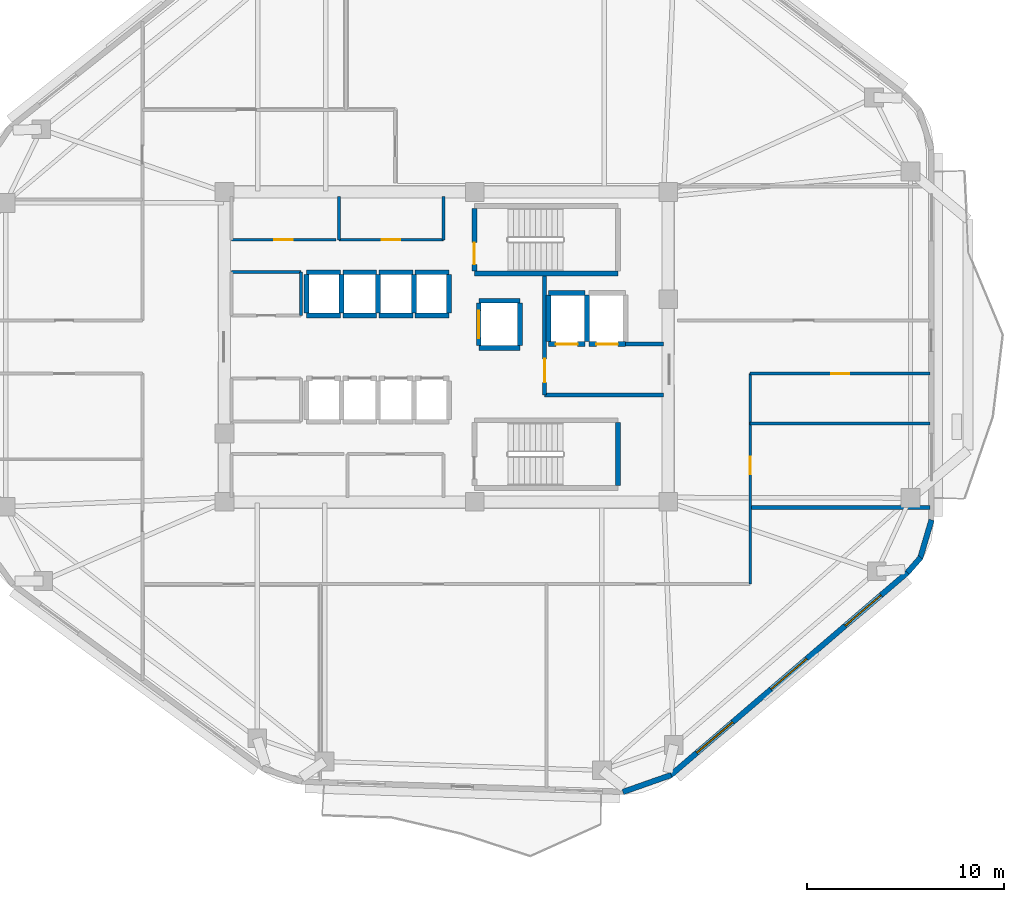
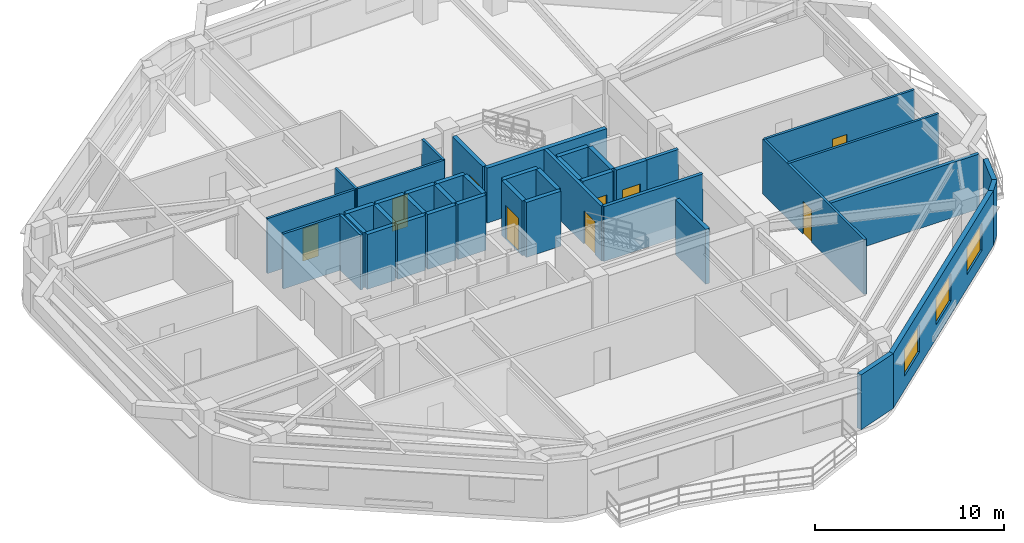
# One storey, part 4 of 8: 42 walls, 9 doors, 3 windows, 12 openings.
"""IFC4 building model written with IfcOpenShell, lengths in metres."""

from ifc_helpers import new_model, si_unit, direction, frame, frame_2d, origin, place, context, subcontext, project, spatial, rectangle, extrude, material, layer, layer_set, type_object, element, fill, save


model = new_model("IFC4")

# Units and contexts
model_context = context("Model", 3, precision=1e-05, world=origin(), true_north=direction((0.0, 1.0)))
body_context = subcontext(model_context, "Body", "Model", "MODEL_VIEW")
ifc_project = project(units=[si_unit("LENGTHUNIT", "METRE"), si_unit("AREAUNIT", "SQUARE_METRE"), si_unit("VOLUMEUNIT", "CUBIC_METRE"), si_unit("PLANEANGLEUNIT", "RADIAN"), si_unit("MASSUNIT", "GRAM", prefix="KILO")], contexts=[model_context])

# Site, building, storey
site_placement = place(None, origin())
site = spatial("IfcSite", under=ifc_project, at=site_placement, CompositionType="ELEMENT")
building_placement = place(site_placement, origin())
building = spatial("IfcBuilding", under=site, at=building_placement, Name="Zulverin Broadcast Headquarters", CompositionType="ELEMENT")
storey_placement = place(building_placement, frame((0.0, 0.0, 182.0)))
storey = spatial("IfcBuildingStorey", under=building, at=storey_placement, Name="L46", CompositionType="ELEMENT", Elevation=182.0)

# Wall
ifc_material_1 = material(Name="Acoustic drywall steel stud", Category="steel")
ifc_layer_1 = layer(ifc_material_1, 0.199951171875, Name="Acoustic drywall steel stud", Category="steel")
ifc_layer_set_1 = layer_set([ifc_layer_1], Name="Acoustic drywall steel stud")
wall_type_1 = type_object("IfcWallType", Name="WL-ACOU-200", PredefinedType="PARTITIONING", material=ifc_layer_set_1)
wall_1_placement = place(storey_placement, frame((52.449951171875, 17.050048828125, 0.0), z_axis=(0.0, 0.0, 1.0), x_axis=(1.0, 0.0, 0.0)))
element("IfcWall", 1, at=wall_1_placement, inside=storey, type_object=wall_type_1, Name="L46 Room Partition Wall RP-09", PredefinedType="PARTITIONING", context=body_context, shape_type="SweptSolid", body=[
    extrude(rectangle(XDim=9.14501953125, YDim=0.199951171875, at=frame_2d((4.572509765625, 0.0))), origin(), (0.0, 0.0, 1.0), 3.5400390625),
])

# Wall, openings, windows
ifc_material_2 = material(Name="Insulated pale-metal clad concrete spandrel C40/50", Category="concrete")
ifc_layer_2 = layer(ifc_material_2, 0.280029296875, Name="Insulated pale-metal clad concrete spandrel C40/50", Category="concrete")
ifc_layer_set_2 = layer_set([ifc_layer_2], Name="Insulated pale-metal clad concrete spandrel C40/50")
wall_type_2 = type_object("IfcWallType", Name="WL-EXT-280", PredefinedType="STANDARD", material=ifc_layer_set_2)
wall_2_placement = place(storey_placement, frame((48.38525390625, 3.413818359375, 0.0), z_axis=(0.0, 0.0, 1.0), x_axis=(0.759700260779, 0.650273414628, 0.0)))
wall_2 = element("IfcWall", 2, at=wall_2_placement, inside=storey, type_object=wall_type_2, Name="L46 Pale-Metal Clad Spandrel Wall 2", PredefinedType="STANDARD", context=body_context, shape_type="SweptSolid", body=[
    extrude(rectangle(XDim=15.880859375, YDim=0.280029296875, at=frame_2d((7.9404296875, 0.0))), origin(), (0.0, 0.0, 1.0), 3.5400390625),
])
opening_1_placement = place(wall_2_placement, frame((1.780029296875, 0.0, 0.89990234375)))
opening_1 = element("IfcOpeningElement", 3, at=opening_1_placement, cuts=wall_2, Name="Opening W-L46-E21", PredefinedType="OPENING", context=body_context, shape_type="SweptSolid", body=[
    extrude(rectangle(XDim=2.39990234375, YDim=1.75, at=frame_2d((1.199951171875, 0.875))), frame((0.0, 0.14990234375, 0.0), z_axis=(0.0, -1.0, 0.0), x_axis=(1.0, 0.0, 0.0)), (0.0, 0.0, 1.0), 0.300048828125),
])
opening_2_placement = place(wall_2_placement, frame((6.740478515625, 0.0, 0.89990234375)))
opening_2 = element("IfcOpeningElement", 4, at=opening_2_placement, cuts=wall_2, Name="Opening W-L46-E22", PredefinedType="OPENING", context=body_context, shape_type="SweptSolid", body=[
    extrude(rectangle(XDim=2.39990234375, YDim=1.75, at=frame_2d((1.199951171875, 0.875))), frame((0.0, 0.14990234375, 0.0), z_axis=(0.0, -1.0, 0.0), x_axis=(1.0, 0.0, 0.0)), (0.0, 0.0, 1.0), 0.300048828125),
])
opening_3_placement = place(wall_2_placement, frame((11.70068359375, 0.0, 0.89990234375)))
opening_3 = element("IfcOpeningElement", 5, at=opening_3_placement, cuts=wall_2, Name="Opening W-L46-E23", PredefinedType="OPENING", context=body_context, shape_type="SweptSolid", body=[
    extrude(rectangle(XDim=2.39990234375, YDim=1.75, at=frame_2d((1.199951171875, 0.875))), frame((0.0, 0.14990234375, 0.0), z_axis=(0.0, -1.0, 0.0), x_axis=(1.0, 0.0, 0.0)), (0.0, 0.0, 1.0), 0.300048828125),
])
ifc_material_3 = material(Name="Pale anodized aluminium frame with solar-control low-E double glazing", Category="aluminium")
window_type = type_object("IfcWindowType", Name="WIN-RIB-2400", PartitioningType="SINGLE_PANEL", PredefinedType="WINDOW", material=ifc_material_3)
window_1_placement = place(opening_1_placement, origin())
window_1 = element("IfcWindow", 6, at=window_1_placement, inside=storey, type_object=window_type, Name="L46 Ribbon Glazing Window 2 1", OverallHeight=1.75, OverallWidth=2.39990234375, PartitioningType="SINGLE_PANEL", PredefinedType="WINDOW", context=body_context, shape_type="SweptSolid", body=[
    extrude(rectangle(XDim=2.39990234375, YDim=1.75, at=frame_2d((1.199951171875, 0.875))), frame((0.0, 0.030029296875, 0.0), z_axis=(0.0, -1.0, 0.0), x_axis=(1.0, 0.0, 0.0)), (0.0, 0.0, 1.0), 0.06005859375),
])
fill(opening_1, window_1)
window_2_placement = place(opening_2_placement, origin())
window_2 = element("IfcWindow", 7, at=window_2_placement, inside=storey, type_object=window_type, Name="L46 Ribbon Glazing Window 2 2", OverallHeight=1.75, OverallWidth=2.39990234375, PartitioningType="SINGLE_PANEL", PredefinedType="WINDOW", context=body_context, shape_type="SweptSolid", body=[
    extrude(rectangle(XDim=2.39990234375, YDim=1.75, at=frame_2d((1.199951171875, 0.875))), frame((0.0, 0.030029296875, 0.0), z_axis=(0.0, -1.0, 0.0), x_axis=(1.0, 0.0, 0.0)), (0.0, 0.0, 1.0), 0.06005859375),
])
fill(opening_2, window_2)
window_3_placement = place(opening_3_placement, origin())
window_3 = element("IfcWindow", 8, at=window_3_placement, inside=storey, type_object=window_type, Name="L46 Ribbon Glazing Window 2 3", OverallHeight=1.75, OverallWidth=2.39990234375, PartitioningType="SINGLE_PANEL", PredefinedType="WINDOW", context=body_context, shape_type="SweptSolid", body=[
    extrude(rectangle(XDim=2.39990234375, YDim=1.75, at=frame_2d((1.199951171875, 0.875))), frame((0.0, 0.030029296875, 0.0), z_axis=(0.0, -1.0, 0.0), x_axis=(1.0, 0.0, 0.0)), (0.0, 0.0, 1.0), 0.06005859375),
])
fill(opening_3, window_3)

# Walls
wall_3_placement = place(storey_placement, frame((45.974609375, 2.576416015625, 0.0), z_axis=(0.0, 0.0, 1.0), x_axis=(0.943377643365, 0.331720698781, 0.0)))
element("IfcWall", 9, at=wall_3_placement, inside=storey, type_object=wall_type_2, Name="L46 Wind-Shaped Corner Spandrel Wall 1-1", PredefinedType="STANDARD", context=body_context, shape_type="SweptSolid", body=[
    extrude(rectangle(XDim=2.6025390625, YDim=0.280029296875, at=frame_2d((1.30126953125, 0.0))), origin(), (0.0, 0.0, 1.0), 3.5400390625),
])
wall_4_placement = place(storey_placement, frame((60.435791015625, 13.7265625, 0.0), z_axis=(0.0, 0.0, 1.0), x_axis=(0.658571618609, 0.752518055041, 0.0)))
element("IfcWall", 10, at=wall_4_placement, inside=storey, type_object=wall_type_2, Name="L46 Wind-Shaped Corner Spandrel Wall 2-1", PredefinedType="STANDARD", context=body_context, shape_type="SweptSolid", body=[
    extrude(rectangle(XDim=1.03173828125, YDim=0.280029296875, at=frame_2d((0.515869140625, 0.0))), origin(), (0.0, 0.0, 1.0), 3.5400390625),
])
wall_5_placement = place(storey_placement, frame((61.08642578125, 14.450439453125, 0.0), z_axis=(0.0, 0.0, 1.0), x_axis=(0.283660953453, 0.958924639107, 0.0)))
element("IfcWall", 11, at=wall_5_placement, inside=storey, type_object=wall_type_2, Name="L46 Wind-Shaped Corner Spandrel Wall 2-2", PredefinedType="STANDARD", context=body_context, shape_type="SweptSolid", body=[
    extrude(rectangle(XDim=2.04248046875, YDim=0.280029296875, at=frame_2d((1.021240234375, 0.0))), origin(), (0.0, 0.0, 1.0), 3.5400390625),
])

# Wall, opening, door
ifc_material_4 = material(Name="Concrete C40/50", Category="concrete")
ifc_layer_3 = layer(ifc_material_4, 0.199951171875, Name="Concrete C40/50", Category="concrete")
ifc_layer_set_3 = layer_set([ifc_layer_3], Name="Concrete C40/50")
wall_type_3 = type_object("IfcWallType", Name="WL-FFL-200", PredefinedType="SOLIDWALL", material=ifc_layer_set_3)
wall_6_placement = place(storey_placement, frame((42.0, 22.75, 0.0), z_axis=(0.0, 0.0, 1.0), x_axis=(0.0, 1.0, 0.0)))
wall_6 = element("IfcWall", 12, at=wall_6_placement, inside=storey, type_object=wall_type_3, Name="L46 Firefighting Lift Lobby West Wall", PredefinedType="SOLIDWALL", context=body_context, shape_type="SweptSolid", body=[
    extrude(rectangle(XDim=6.050048828125, YDim=0.199951171875, at=frame_2d((3.02490234375, 0.0))), origin(), (0.0, 0.0, 1.0), 3.5400390625),
])
opening_4_placement = place(wall_6_placement, frame((0.64990234375, 0.0, 0.0)))
opening_4 = element("IfcOpeningElement", 13, at=opening_4_placement, cuts=wall_6, Name="Opening D-L46-FFLW", PredefinedType="OPENING", context=body_context, shape_type="SweptSolid", body=[
    extrude(rectangle(XDim=1.199951171875, YDim=2.14990234375, at=frame_2d((0.60009765625, 1.074951171875))), frame((0.0, 0.10986328125, 0.0), z_axis=(0.0, -1.0, 0.0), x_axis=(1.0, 0.0, 0.0)), (0.0, 0.0, 1.0), 0.219970703125),
])
ifc_material_5 = material(Name="Fire-rated steel leaf and frame", Category="steel")
door_type_1 = type_object("IfcDoorType", Name="DR-FFL-1200", OperationType="SINGLE_SWING_RIGHT", PredefinedType="DOOR", material=ifc_material_5)
door_1_placement = place(opening_4_placement, origin())
door_1 = element("IfcDoor", 14, at=door_1_placement, inside=storey, type_object=door_type_1, Name="L46 Firefighting Lift Lobby Door", OperationType="SINGLE_SWING_RIGHT", OverallHeight=2.14990234375, OverallWidth=1.199951171875, PredefinedType="DOOR", context=body_context, shape_type="SweptSolid", body=[
    extrude(rectangle(XDim=1.199951171875, YDim=2.14990234375, at=frame_2d((0.60009765625, 1.074951171875))), frame((0.0, 0.02490234375, 0.0), z_axis=(0.0, -1.0, 0.0), x_axis=(1.0, 0.0, 0.0)), (0.0, 0.0, 1.0), 0.050048828125),
])
fill(opening_4, door_1)

# Walls
wall_7_placement = place(storey_placement, frame((42.0, 22.75, 0.0), z_axis=(0.0, 0.0, 1.0), x_axis=(1.0, 0.0, 0.0)))
element("IfcWall", 15, at=wall_7_placement, inside=storey, type_object=wall_type_3, Name="L46 Firefighting Lift Lobby South Wall", PredefinedType="SOLIDWALL", context=body_context, shape_type="SweptSolid", body=[
    extrude(rectangle(XDim=6.050048828125, YDim=0.199951171875, at=frame_2d((3.02490234375, 0.0))), origin(), (0.0, 0.0, 1.0), 3.5400390625),
])
wall_8_placement = place(storey_placement, frame((46.10009765625, 25.35009765625, 0.0), z_axis=(0.0, 0.0, 1.0), x_axis=(1.0, 0.0, 0.0)))
element("IfcWall", 16, at=wall_8_placement, inside=storey, type_object=wall_type_3, Name="L46 Firefighting Lift Lobby North Wall", PredefinedType="SOLIDWALL", context=body_context, shape_type="SweptSolid", body=[
    extrude(rectangle(XDim=1.949951171875, YDim=0.199951171875, at=frame_2d((0.97509765625, 0.0))), origin(), (0.0, 0.0, 1.0), 3.5400390625),
])

# Wall, opening, door
ifc_material_6 = material(Name="Fire-rated gypsum stud partition", Category="gypsum")
ifc_layer_4 = layer(ifc_material_6, 0.14990234375, Name="Fire-rated gypsum stud partition", Category="gypsum")
ifc_layer_set_4 = layer_set([ifc_layer_4], Name="Fire-rated gypsum stud partition")
wall_type_4 = type_object("IfcWallType", Name="WL-PART-150", PredefinedType="PARTITIONING", material=ifc_layer_set_4)
wall_9_placement = place(storey_placement, frame((26.070068359375, 30.64990234375, 0.0), z_axis=(0.0, 0.0, 1.0), x_axis=(1.0, 0.0, 0.0)))
wall_9 = element("IfcWall", 17, at=wall_9_placement, inside=storey, type_object=wall_type_4, Name="L46 Core Male WC Front Wall", PredefinedType="PARTITIONING", context=body_context, shape_type="SweptSolid", body=[
    extrude(rectangle(XDim=5.309814453125, YDim=0.14990234375, at=frame_2d((2.65478515625, 0.0))), origin(), (0.0, 0.0, 1.0), 3.5400390625),
])
opening_5_placement = place(wall_9_placement, frame((2.179931640625, 0.0, 0.0)))
opening_5 = element("IfcOpeningElement", 18, at=opening_5_placement, cuts=wall_9, Name="Opening D-L46-NC1", PredefinedType="OPENING", context=body_context, shape_type="SweptSolid", body=[
    extrude(rectangle(XDim=0.949951171875, YDim=2.10009765625, at=frame_2d((0.47509765625, 1.050048828125))), frame((0.0, 0.0849609375, 0.0), z_axis=(0.0, -1.0, 0.0), x_axis=(1.0, 0.0, 0.0)), (0.0, 0.0, 1.0), 0.169921875),
])
ifc_material_7 = material(Name="Fire-rated moisture-resistant laminate leaf", Category="wood")
door_type_2 = type_object("IfcDoorType", Name="DR-WC-950", OperationType="SINGLE_SWING_LEFT", PredefinedType="DOOR", material=ifc_material_7)
door_2_placement = place(opening_5_placement, origin())
door_2 = element("IfcDoor", 19, at=door_2_placement, inside=storey, type_object=door_type_2, Name="L46 Male WC Door", OperationType="SINGLE_SWING_LEFT", OverallHeight=2.10009765625, OverallWidth=0.949951171875, PredefinedType="DOOR", context=body_context, shape_type="SweptSolid", body=[
    extrude(rectangle(XDim=0.949951171875, YDim=2.10009765625, at=frame_2d((0.47509765625, 1.050048828125))), frame((0.0, 0.02490234375, 0.0), z_axis=(0.0, -1.0, 0.0), x_axis=(1.0, 0.0, 0.0)), (0.0, 0.0, 1.0), 0.050048828125),
])
fill(opening_5, door_2)

wall_10_placement = place(storey_placement, frame((31.5400390625, 30.64990234375, 0.0), z_axis=(0.0, 0.0, 1.0), x_axis=(1.0, 0.0, 0.0)))
wall_10 = element("IfcWall", 20, at=wall_10_placement, inside=storey, type_object=wall_type_4, Name="L46 Core Accessible WC Front Wall", PredefinedType="PARTITIONING", context=body_context, shape_type="SweptSolid", body=[
    extrude(rectangle(XDim=5.31005859375, YDim=0.14990234375, at=frame_2d((2.655029296875, 0.0))), origin(), (0.0, 0.0, 1.0), 3.5400390625),
])
opening_6_placement = place(wall_10_placement, frame((2.179931640625, 0.0, 0.0)))
opening_6 = element("IfcOpeningElement", 21, at=opening_6_placement, cuts=wall_10, Name="Opening D-L46-NC2", PredefinedType="OPENING", context=body_context, shape_type="SweptSolid", body=[
    extrude(rectangle(XDim=0.949951171875, YDim=2.10009765625, at=frame_2d((0.47509765625, 1.050048828125))), frame((0.0, 0.0849609375, 0.0), z_axis=(0.0, -1.0, 0.0), x_axis=(1.0, 0.0, 0.0)), (0.0, 0.0, 1.0), 0.169921875),
])
door_3_placement = place(opening_6_placement, origin())
door_3 = element("IfcDoor", 22, at=door_3_placement, inside=storey, type_object=door_type_2, Name="L46 Accessible WC Door", OperationType="SINGLE_SWING_RIGHT", OverallHeight=2.10009765625, OverallWidth=0.949951171875, PredefinedType="DOOR", context=body_context, shape_type="SweptSolid", body=[
    extrude(rectangle(XDim=0.949951171875, YDim=2.10009765625, at=frame_2d((0.47509765625, 1.050048828125))), frame((0.0, 0.02490234375, 0.0), z_axis=(0.0, -1.0, 0.0), x_axis=(1.0, 0.0, 0.0)), (0.0, 0.0, 1.0), 0.050048828125),
])
fill(opening_6, door_3)

# Walls
for number, where, z_axis, x_axis, name in (
    (23, (31.5400390625, 30.64990234375, 0.0), (0.0, 0.0, 1.0), (0.0, 1.0, 0.0), "L46 Core Accessible WC West Wall"),
    (24, (36.85009765625, 30.64990234375, 0.0), (0.0, 0.0, 1.0), (0.0, 1.0, 0.0), "L46 Core Accessible WC East Wall"),
):
    element("IfcWall", number, at=place(storey_placement, frame(where, z_axis=z_axis, x_axis=x_axis)), inside=storey, type_object=wall_type_4, Name=name, PredefinedType="PARTITIONING", context=body_context, shape_type="SweptSolid", body=[
        extrude(rectangle(XDim=2.2001953125, YDim=0.14990234375, at=frame_2d((1.10009765625, 0.0))), origin(), (0.0, 0.0, 1.0), 3.5400390625),
    ])
wall_11_placement = place(storey_placement, frame((26.070068359375, 29.0, 0.0), z_axis=(0.0, 0.0, 1.0), x_axis=(1.0, 0.0, 0.0)))
element("IfcWall", 25, at=wall_11_placement, inside=storey, type_object=wall_type_4, Name="L46 Broadcast Signal Patch Room N Wall", PredefinedType="PARTITIONING", context=body_context, shape_type="SweptSolid", body=[
    extrude(rectangle(XDim=3.550048828125, YDim=0.14990234375, at=frame_2d((1.77490234375, 0.0))), origin(), (0.0, 0.0, 1.0), 3.5400390625),
])
wall_12_placement = place(storey_placement, frame((29.6201171875, 26.800048828125, 0.0), z_axis=(0.0, 0.0, 1.0), x_axis=(0.0, 1.0, 0.0)))
element("IfcWall", 26, at=wall_12_placement, inside=storey, type_object=wall_type_4, Name="L46 Broadcast Signal Patch Room E Wall", PredefinedType="PARTITIONING", context=body_context, shape_type="SweptSolid", body=[
    extrude(rectangle(XDim=2.199951171875, YDim=0.14990234375, at=frame_2d((1.10009765625, 0.0))), origin(), (0.0, 0.0, 1.0), 3.5400390625),
])

# Wall, opening, door
wall_13_placement = place(storey_placement, frame((52.449951171875, 13.14990234375, 0.0), z_axis=(0.0, 0.0, 1.0), x_axis=(0.0, 1.0, 0.0)))
wall_13 = element("IfcWall", 27, at=wall_13_placement, inside=storey, type_object=wall_type_4, Name="L46 Gallery Partition Wall CG-01", PredefinedType="PARTITIONING", context=body_context, shape_type="SweptSolid", body=[
    extrude(rectangle(XDim=10.7001953125, YDim=0.14990234375, at=frame_2d((5.35009765625, 0.0))), origin(), (0.0, 0.0, 1.0), 3.5400390625),
])
opening_7_placement = place(wall_13_placement, frame((5.574951171875, 0.0, 0.0)))
opening_7 = element("IfcOpeningElement", 28, at=opening_7_placement, cuts=wall_13, Name="Opening D-L46-10", PredefinedType="OPENING", context=body_context, shape_type="SweptSolid", body=[
    extrude(rectangle(XDim=0.89990234375, YDim=2.10009765625, at=frame_2d((0.449951171875, 1.050048828125))), frame((0.0, 0.0849609375, 0.0), z_axis=(0.0, -1.0, 0.0), x_axis=(1.0, 0.0, 0.0)), (0.0, 0.0, 1.0), 0.169921875),
])
ifc_material_8 = material(Name="Fire-rated hardwood veneer timber leaf", Category="wood")
door_type_3 = type_object("IfcDoorType", Name="DR-ROOM-900", OperationType="SINGLE_SWING_RIGHT", PredefinedType="DOOR", material=ifc_material_8)
door_4_placement = place(opening_7_placement, origin())
door_4 = element("IfcDoor", 29, at=door_4_placement, inside=storey, type_object=door_type_3, Name="L46 Reference Library Door", OperationType="SINGLE_SWING_RIGHT", OverallHeight=2.10009765625, OverallWidth=0.89990234375, PredefinedType="DOOR", context=body_context, shape_type="SweptSolid", body=[
    extrude(rectangle(XDim=0.89990234375, YDim=2.10009765625, at=frame_2d((0.449951171875, 1.050048828125))), frame((0.0, 0.02490234375, 0.0), z_axis=(0.0, -1.0, 0.0), x_axis=(1.0, 0.0, 0.0)), (0.0, 0.0, 1.0), 0.050048828125),
])
fill(opening_7, door_4)

# Wall
wall_14_placement = place(storey_placement, frame((52.449951171875, 21.300048828125, 0.0), z_axis=(0.0, 0.0, 1.0), x_axis=(1.0, 0.0, 0.0)))
element("IfcWall", 30, at=wall_14_placement, inside=storey, type_object=wall_type_4, Name="L46 Room Partition Wall RP-11", PredefinedType="PARTITIONING", context=body_context, shape_type="SweptSolid", body=[
    extrude(rectangle(XDim=9.14501953125, YDim=0.14990234375, at=frame_2d((4.572509765625, 0.0))), origin(), (0.0, 0.0, 1.0), 3.5400390625),
])

# Wall, opening, door
wall_15_placement = place(storey_placement, frame((52.449951171875, 23.85009765625, 0.0), z_axis=(0.0, 0.0, 1.0), x_axis=(1.0, 0.0, 0.0)))
wall_15 = element("IfcWall", 31, at=wall_15_placement, inside=storey, type_object=wall_type_4, Name="L46 Gallery Partition Wall CG-13", PredefinedType="PARTITIONING", context=body_context, shape_type="SweptSolid", body=[
    extrude(rectangle(XDim=9.14501953125, YDim=0.14990234375, at=frame_2d((4.572509765625, 0.0))), origin(), (0.0, 0.0, 1.0), 3.5400390625),
])
opening_8_placement = place(wall_15_placement, frame((4.12255859375, 0.0, 0.0)))
opening_8 = element("IfcOpeningElement", 32, at=opening_8_placement, cuts=wall_15, Name="Opening D-L46-11", PredefinedType="OPENING", context=body_context, shape_type="SweptSolid", body=[
    extrude(rectangle(XDim=0.89990234375, YDim=2.10009765625, at=frame_2d((0.449951171875, 1.050048828125))), frame((0.0, 0.0849609375, 0.0), z_axis=(0.0, -1.0, 0.0), x_axis=(1.0, 0.0, 0.0)), (0.0, 0.0, 1.0), 0.169921875),
])
door_5_placement = place(opening_8_placement, origin())
door_5 = element("IfcDoor", 33, at=door_5_placement, inside=storey, type_object=door_type_3, Name="L46 Tea Pantry Door", OperationType="SINGLE_SWING_LEFT", OverallHeight=2.10009765625, OverallWidth=0.89990234375, PredefinedType="DOOR", context=body_context, shape_type="SweptSolid", body=[
    extrude(rectangle(XDim=0.89990234375, YDim=2.10009765625, at=frame_2d((0.449951171875, 1.050048828125))), frame((0.0, 0.02490234375, 0.0), z_axis=(0.0, -1.0, 0.0), x_axis=(1.0, 0.0, 0.0)), (0.0, 0.0, 1.0), 0.050048828125),
])
fill(opening_8, door_5)

# Wall
ifc_material_9 = material(Name="Concrete C50/60", Category="concrete")
ifc_layer_5 = layer(ifc_material_9, 0.25, Name="Concrete C50/60", Category="concrete")
ifc_layer_set_5 = layer_set([ifc_layer_5], Name="Concrete C50/60")
wall_type_5 = type_object("IfcWallType", Name="WL-SHAFT-250", PredefinedType="SHEAR", material=ifc_layer_set_5)
wall_16_placement = place(storey_placement, frame((38.425048828125, 28.925048828125, 0.0), z_axis=(0.0, 0.0, 1.0), x_axis=(1.0, 0.0, 0.0)))
element("IfcWall", 34, at=wall_16_placement, inside=storey, type_object=wall_type_5, Name="L46 ST-1 Enclosure Wall S", PredefinedType="SHEAR", context=body_context, shape_type="SweptSolid", body=[
    extrude(rectangle(XDim=7.300048828125, YDim=0.25, at=frame_2d((3.64990234375, 0.0))), origin(), (0.0, 0.0, 1.0), 3.5400390625),
])

# Wall, opening, door
wall_17_placement = place(storey_placement, frame((38.425048828125, 29.050048828125, 0.0), z_axis=(0.0, 0.0, 1.0), x_axis=(0.0, 1.0, 0.0)))
wall_17 = element("IfcWall", 35, at=wall_17_placement, inside=storey, type_object=wall_type_5, Name="L46 ST-1 Enclosure Wall W", PredefinedType="SHEAR", context=body_context, shape_type="SweptSolid", body=[
    extrude(rectangle(XDim=3.199951171875, YDim=0.25, at=frame_2d((1.60009765625, 0.0))), origin(), (0.0, 0.0, 1.0), 3.5400390625),
])
opening_9_placement = place(wall_17_placement, frame((0.35009765625, 0.0, 0.0)))
opening_9 = element("IfcOpeningElement", 36, at=opening_9_placement, cuts=wall_17, Name="Opening D-L46-ST-1", PredefinedType="OPENING", context=body_context, shape_type="SweptSolid", body=[
    extrude(rectangle(XDim=1.10009765625, YDim=2.14990234375, at=frame_2d((0.550048828125, 1.074951171875))), frame((0.0, 0.135009765625, 0.0), z_axis=(0.0, -1.0, 0.0), x_axis=(1.0, 0.0, 0.0)), (0.0, 0.0, 1.0), 0.27001953125),
])
door_type_4 = type_object("IfcDoorType", Name="DR-STAIR-1100", OperationType="SINGLE_SWING_LEFT", PredefinedType="DOOR", material=ifc_material_5)
door_6_placement = place(opening_9_placement, origin())
door_6 = element("IfcDoor", 37, at=door_6_placement, inside=storey, type_object=door_type_4, Name="L46 Exit Stair ST-1 Fire Door", OperationType="SINGLE_SWING_LEFT", OverallHeight=2.14990234375, OverallWidth=1.10009765625, PredefinedType="DOOR", context=body_context, shape_type="SweptSolid", body=[
    extrude(rectangle(XDim=1.10009765625, YDim=2.14990234375, at=frame_2d((0.550048828125, 1.074951171875))), frame((0.0, 0.02490234375, 0.0), z_axis=(0.0, -1.0, 0.0), x_axis=(1.0, 0.0, 0.0)), (0.0, 0.0, 1.0), 0.050048828125),
])
fill(opening_9, door_6)

# Walls
wall_18_placement = place(storey_placement, frame((45.72509765625, 18.14990234375, 0.0), z_axis=(0.0, 0.0, 1.0), x_axis=(0.0, 1.0, 0.0)))
element("IfcWall", 38, at=wall_18_placement, inside=storey, type_object=wall_type_5, Name="L46 ST-2 Enclosure Wall E", PredefinedType="SHEAR", context=body_context, shape_type="SweptSolid", body=[
    extrude(rectangle(XDim=3.2001953125, YDim=0.25, at=frame_2d((1.60009765625, 0.0))), origin(), (0.0, 0.0, 1.0), 3.5400390625),
])
for number, where, z_axis, x_axis, name in (
    (39, (29.89990234375, 26.800048828125, 0.0), (0.0, 0.0, 1.0), (1.0, 0.0, 0.0), "L46 Lift PL-H1 Shaft Wall S"),
    (40, (29.89990234375, 29.0, 0.0), (0.0, 0.0, 1.0), (1.0, 0.0, 0.0), "L46 Lift PL-H1 Shaft Wall N"),
):
    element("IfcWall", number, at=place(storey_placement, frame(where, z_axis=z_axis, x_axis=x_axis)), inside=storey, type_object=wall_type_5, Name=name, PredefinedType="SHEAR", context=body_context, shape_type="SweptSolid", body=[
        extrude(rectangle(XDim=1.72021484375, YDim=0.25, at=frame_2d((0.860107421875, 0.0))), origin(), (0.0, 0.0, 1.0), 3.5400390625),
    ])
for number, where, z_axis, x_axis, name in (
    (41, (29.89990234375, 26.919921875, 0.0), (0.0, 0.0, 1.0), (0.0, 1.0, 0.0), "L46 Lift PL-H1 Shaft Wall W"),
    (42, (31.679931640625, 26.919921875, 0.0), (0.0, 0.0, 1.0), (0.0, 1.0, 0.0), "L46 Lift PL-H1 Shaft Wall E"),
):
    element("IfcWall", number, at=place(storey_placement, frame(where, z_axis=z_axis, x_axis=x_axis)), inside=storey, type_object=wall_type_5, Name=name, PredefinedType="SHEAR", context=body_context, shape_type="SweptSolid", body=[
        extrude(rectangle(XDim=1.9599609375, YDim=0.25, at=frame_2d((0.97998046875, 0.0))), origin(), (0.0, 0.0, 1.0), 3.5400390625),
    ])
for number, where, z_axis, x_axis, name in (
    (43, (31.739990234375, 26.800048828125, 0.0), (0.0, 0.0, 1.0), (1.0, 0.0, 0.0), "L46 Lift PL-H2 Shaft Wall S"),
    (44, (31.739990234375, 29.0, 0.0), (0.0, 0.0, 1.0), (1.0, 0.0, 0.0), "L46 Lift PL-H2 Shaft Wall N"),
):
    element("IfcWall", number, at=place(storey_placement, frame(where, z_axis=z_axis, x_axis=x_axis)), inside=storey, type_object=wall_type_5, Name=name, PredefinedType="SHEAR", context=body_context, shape_type="SweptSolid", body=[
        extrude(rectangle(XDim=1.719970703125, YDim=0.25, at=frame_2d((0.85986328125, 0.0))), origin(), (0.0, 0.0, 1.0), 3.5400390625),
    ])
wall_19_placement = place(storey_placement, frame((33.52001953125, 26.919921875, 0.0), z_axis=(0.0, 0.0, 1.0), x_axis=(0.0, 1.0, 0.0)))
element("IfcWall", 45, at=wall_19_placement, inside=storey, type_object=wall_type_5, Name="L46 Lift PL-H2 Shaft Wall E", PredefinedType="SHEAR", context=body_context, shape_type="SweptSolid", body=[
    extrude(rectangle(XDim=1.9599609375, YDim=0.25, at=frame_2d((0.97998046875, 0.0))), origin(), (0.0, 0.0, 1.0), 3.5400390625),
])
for number, where, z_axis, x_axis, name in (
    (46, (33.580078125, 26.800048828125, 0.0), (0.0, 0.0, 1.0), (1.0, 0.0, 0.0), "L46 Lift PL-H3 Shaft Wall S"),
    (47, (33.580078125, 29.0, 0.0), (0.0, 0.0, 1.0), (1.0, 0.0, 0.0), "L46 Lift PL-H3 Shaft Wall N"),
):
    element("IfcWall", number, at=place(storey_placement, frame(where, z_axis=z_axis, x_axis=x_axis)), inside=storey, type_object=wall_type_5, Name=name, PredefinedType="SHEAR", context=body_context, shape_type="SweptSolid", body=[
        extrude(rectangle(XDim=1.719970703125, YDim=0.25, at=frame_2d((0.85986328125, 0.0))), origin(), (0.0, 0.0, 1.0), 3.5400390625),
    ])
wall_20_placement = place(storey_placement, frame((35.360107421875, 26.919921875, 0.0), z_axis=(0.0, 0.0, 1.0), x_axis=(0.0, 1.0, 0.0)))
element("IfcWall", 48, at=wall_20_placement, inside=storey, type_object=wall_type_5, Name="L46 Lift PL-H3 Shaft Wall E", PredefinedType="SHEAR", context=body_context, shape_type="SweptSolid", body=[
    extrude(rectangle(XDim=1.9599609375, YDim=0.25, at=frame_2d((0.97998046875, 0.0))), origin(), (0.0, 0.0, 1.0), 3.5400390625),
])
for number, where, z_axis, x_axis, name in (
    (49, (35.419921875, 26.800048828125, 0.0), (0.0, 0.0, 1.0), (1.0, 0.0, 0.0), "L46 Lift PL-H4 Shaft Wall S"),
    (50, (35.419921875, 29.0, 0.0), (0.0, 0.0, 1.0), (1.0, 0.0, 0.0), "L46 Lift PL-H4 Shaft Wall N"),
):
    element("IfcWall", number, at=place(storey_placement, frame(where, z_axis=z_axis, x_axis=x_axis)), inside=storey, type_object=wall_type_5, Name=name, PredefinedType="SHEAR", context=body_context, shape_type="SweptSolid", body=[
        extrude(rectangle(XDim=1.719970703125, YDim=0.25, at=frame_2d((0.85986328125, 0.0))), origin(), (0.0, 0.0, 1.0), 3.5400390625),
    ])
wall_21_placement = place(storey_placement, frame((37.139892578125, 26.919921875, 0.0), z_axis=(0.0, 0.0, 1.0), x_axis=(0.0, 1.0, 0.0)))
element("IfcWall", 51, at=wall_21_placement, inside=storey, type_object=wall_type_5, Name="L46 Lift PL-H4 Shaft Wall E", PredefinedType="SHEAR", context=body_context, shape_type="SweptSolid", body=[
    extrude(rectangle(XDim=1.9599609375, YDim=0.25, at=frame_2d((0.97998046875, 0.0))), origin(), (0.0, 0.0, 1.0), 3.5400390625),
])

# Wall, opening, door
wall_22_placement = place(storey_placement, frame((42.199951171875, 25.35009765625, 0.0), z_axis=(0.0, 0.0, 1.0), x_axis=(1.0, 0.0, 0.0)))
wall_22 = element("IfcWall", 52, at=wall_22_placement, inside=storey, type_object=wall_type_5, Name="L46 Lift FFL-1 Shaft Wall S", PredefinedType="SHEAR", context=body_context, shape_type="SweptSolid", body=[
    extrude(rectangle(XDim=1.85009765625, YDim=0.25, at=frame_2d((0.925048828125, 0.0))), origin(), (0.0, 0.0, 1.0), 3.5400390625),
])
opening_10_placement = place(wall_22_placement, frame((0.375, 0.0, 0.0)))
opening_10 = element("IfcOpeningElement", 53, at=opening_10_placement, cuts=wall_22, Name="Opening LD-FFL-1-L46", PredefinedType="OPENING", context=body_context, shape_type="SweptSolid", body=[
    extrude(rectangle(XDim=1.10009765625, YDim=2.14990234375, at=frame_2d((0.550048828125, 1.074951171875))), frame((0.0, 0.135009765625, 0.0), z_axis=(0.0, -1.0, 0.0), x_axis=(1.0, 0.0, 0.0)), (0.0, 0.0, 1.0), 0.27001953125),
])
ifc_material_10 = material(Name="Fire-rated stainless landing door", Category="steel")
door_type_5 = type_object("IfcDoorType", Name="LD-FFL-1100", OperationType="DOUBLE_DOOR_SLIDING", PredefinedType="DOOR", material=ifc_material_10)
door_7_placement = place(opening_10_placement, origin())
door_7 = element("IfcDoor", 54, at=door_7_placement, inside=storey, type_object=door_type_5, Name="L46 Lift FFL-1 Sliding Landing Door", OperationType="DOUBLE_DOOR_SLIDING", OverallHeight=2.14990234375, OverallWidth=1.10009765625, PredefinedType="DOOR", context=body_context, shape_type="SweptSolid", body=[
    extrude(rectangle(XDim=1.10009765625, YDim=2.14990234375, at=frame_2d((0.550048828125, 1.074951171875))), frame((0.0, 0.02490234375, 0.0), z_axis=(0.0, -1.0, 0.0), x_axis=(1.0, 0.0, 0.0)), (0.0, 0.0, 1.0), 0.050048828125),
])
fill(opening_10, door_7)

# Walls
wall_23_placement = place(storey_placement, frame((42.199951171875, 27.949951171875, 0.0), z_axis=(0.0, 0.0, 1.0), x_axis=(1.0, 0.0, 0.0)))
element("IfcWall", 55, at=wall_23_placement, inside=storey, type_object=wall_type_5, Name="L46 Lift FFL-1 Shaft Wall N", PredefinedType="SHEAR", context=body_context, shape_type="SweptSolid", body=[
    extrude(rectangle(XDim=1.85009765625, YDim=0.25, at=frame_2d((0.925048828125, 0.0))), origin(), (0.0, 0.0, 1.0), 3.5400390625),
])
for number, where, z_axis, x_axis, name in (
    (56, (42.199951171875, 25.469970703125, 0.0), (0.0, 0.0, 1.0), (0.0, 1.0, 0.0), "L46 Lift FFL-1 Shaft Wall W"),
    (57, (44.14990234375, 25.469970703125, 0.0), (0.0, 0.0, 1.0), (0.0, 1.0, 0.0), "L46 Lift FFL-1 Shaft Wall E"),
):
    element("IfcWall", number, at=place(storey_placement, frame(where, z_axis=z_axis, x_axis=x_axis)), inside=storey, type_object=wall_type_5, Name=name, PredefinedType="SHEAR", context=body_context, shape_type="SweptSolid", body=[
        extrude(rectangle(XDim=2.360107421875, YDim=0.25, at=frame_2d((1.18017578125, 0.0))), origin(), (0.0, 0.0, 1.0), 3.5400390625),
    ])

# Wall, opening, door
wall_24_placement = place(storey_placement, frame((44.25, 25.35009765625, 0.0), z_axis=(0.0, 0.0, 1.0), x_axis=(1.0, 0.0, 0.0)))
wall_24 = element("IfcWall", 58, at=wall_24_placement, inside=storey, type_object=wall_type_5, Name="L46 Lift FFL-2 Shaft Wall S", PredefinedType="SHEAR", context=body_context, shape_type="SweptSolid", body=[
    extrude(rectangle(XDim=1.85009765625, YDim=0.25, at=frame_2d((0.925048828125, 0.0))), origin(), (0.0, 0.0, 1.0), 3.5400390625),
])
opening_11_placement = place(wall_24_placement, frame((0.375, 0.0, 0.0)))
opening_11 = element("IfcOpeningElement", 59, at=opening_11_placement, cuts=wall_24, Name="Opening LD-FFL-2-L46", PredefinedType="OPENING", context=body_context, shape_type="SweptSolid", body=[
    extrude(rectangle(XDim=1.10009765625, YDim=2.14990234375, at=frame_2d((0.550048828125, 1.074951171875))), frame((0.0, 0.135009765625, 0.0), z_axis=(0.0, -1.0, 0.0), x_axis=(1.0, 0.0, 0.0)), (0.0, 0.0, 1.0), 0.27001953125),
])
door_8_placement = place(opening_11_placement, origin())
door_8 = element("IfcDoor", 60, at=door_8_placement, inside=storey, type_object=door_type_5, Name="L46 Lift FFL-2 Sliding Landing Door", OperationType="DOUBLE_DOOR_SLIDING", OverallHeight=2.14990234375, OverallWidth=1.10009765625, PredefinedType="DOOR", context=body_context, shape_type="SweptSolid", body=[
    extrude(rectangle(XDim=1.10009765625, YDim=2.14990234375, at=frame_2d((0.550048828125, 1.074951171875))), frame((0.0, 0.02490234375, 0.0), z_axis=(0.0, -1.0, 0.0), x_axis=(1.0, 0.0, 0.0)), (0.0, 0.0, 1.0), 0.050048828125),
])
fill(opening_11, door_8)

# Walls
for number, where, z_axis, x_axis, name in (
    (61, (38.64990234375, 25.14990234375, 0.0), (0.0, 0.0, 1.0), (1.0, 0.0, 0.0), "L46 Lift SVL-1 Shaft Wall S"),
    (62, (38.64990234375, 27.550048828125, 0.0), (0.0, 0.0, 1.0), (1.0, 0.0, 0.0), "L46 Lift SVL-1 Shaft Wall N"),
):
    element("IfcWall", number, at=place(storey_placement, frame(where, z_axis=z_axis, x_axis=x_axis)), inside=storey, type_object=wall_type_5, Name=name, PredefinedType="SHEAR", context=body_context, shape_type="SweptSolid", body=[
        extrude(rectangle(XDim=2.10009765625, YDim=0.25, at=frame_2d((1.050048828125, 0.0))), origin(), (0.0, 0.0, 1.0), 3.5400390625),
    ])

# Wall, opening, door
wall_25_placement = place(storey_placement, frame((38.64990234375, 25.27001953125, 0.0), z_axis=(0.0, 0.0, 1.0), x_axis=(0.0, 1.0, 0.0)))
wall_25 = element("IfcWall", 63, at=wall_25_placement, inside=storey, type_object=wall_type_5, Name="L46 Lift SVL-1 Shaft Wall W", PredefinedType="SHEAR", context=body_context, shape_type="SweptSolid", body=[
    extrude(rectangle(XDim=2.159912109375, YDim=0.25, at=frame_2d((1.080078125, 0.0))), origin(), (0.0, 0.0, 1.0), 3.5400390625),
])
opening_12_placement = place(wall_25_placement, frame((0.3798828125, 0.0, 0.0)))
opening_12 = element("IfcOpeningElement", 64, at=opening_12_placement, cuts=wall_25, Name="Opening LD-SVL-1-L46", PredefinedType="OPENING", context=body_context, shape_type="SweptSolid", body=[
    extrude(rectangle(XDim=1.39990234375, YDim=2.199951171875, at=frame_2d((0.699951171875, 1.10009765625))), frame((0.0, 0.135009765625, 0.0), z_axis=(0.0, -1.0, 0.0), x_axis=(1.0, 0.0, 0.0)), (0.0, 0.0, 1.0), 0.27001953125),
])
ifc_material_11 = material(Name="Heavy-duty stainless landing door", Category="steel")
door_type_6 = type_object("IfcDoorType", Name="LD-GOODS-1400", OperationType="DOUBLE_DOOR_SLIDING", PredefinedType="DOOR", material=ifc_material_11)
door_9_placement = place(opening_12_placement, origin())
door_9 = element("IfcDoor", 65, at=door_9_placement, inside=storey, type_object=door_type_6, Name="L46 Lift SVL-1 Sliding Landing Door", OperationType="DOUBLE_DOOR_SLIDING", OverallHeight=2.199951171875, OverallWidth=1.39990234375, PredefinedType="DOOR", context=body_context, shape_type="SweptSolid", body=[
    extrude(rectangle(XDim=1.39990234375, YDim=2.199951171875, at=frame_2d((0.699951171875, 1.10009765625))), frame((0.0, 0.02490234375, 0.0), z_axis=(0.0, -1.0, 0.0), x_axis=(1.0, 0.0, 0.0)), (0.0, 0.0, 1.0), 0.050048828125),
])
fill(opening_12, door_9)

# Wall
wall_26_placement = place(storey_placement, frame((40.75, 25.27001953125, 0.0), z_axis=(0.0, 0.0, 1.0), x_axis=(0.0, 1.0, 0.0)))
element("IfcWall", 66, at=wall_26_placement, inside=storey, type_object=wall_type_5, Name="L46 Lift SVL-1 Shaft Wall E", PredefinedType="SHEAR", context=body_context, shape_type="SweptSolid", body=[
    extrude(rectangle(XDim=2.159912109375, YDim=0.25, at=frame_2d((1.080078125, 0.0))), origin(), (0.0, 0.0, 1.0), 3.5400390625),
])

save(model, "model.ifc")
